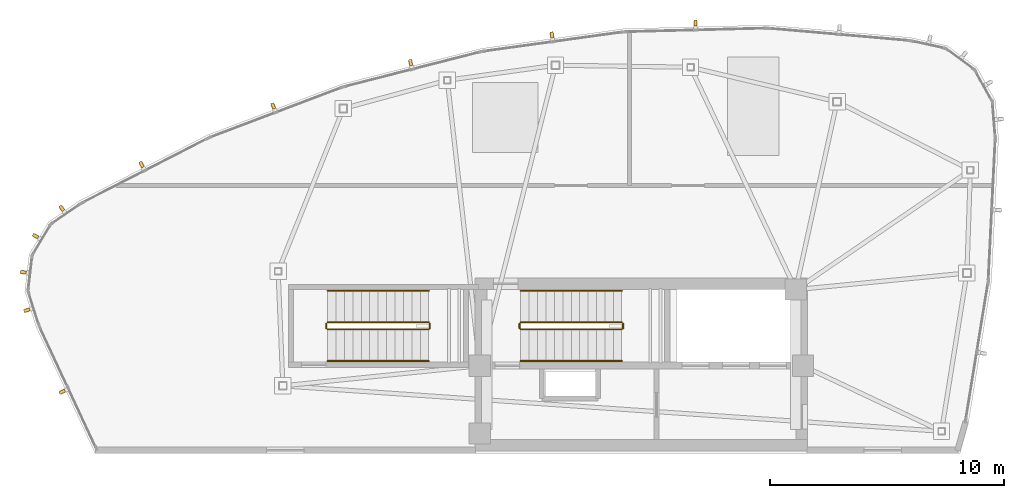
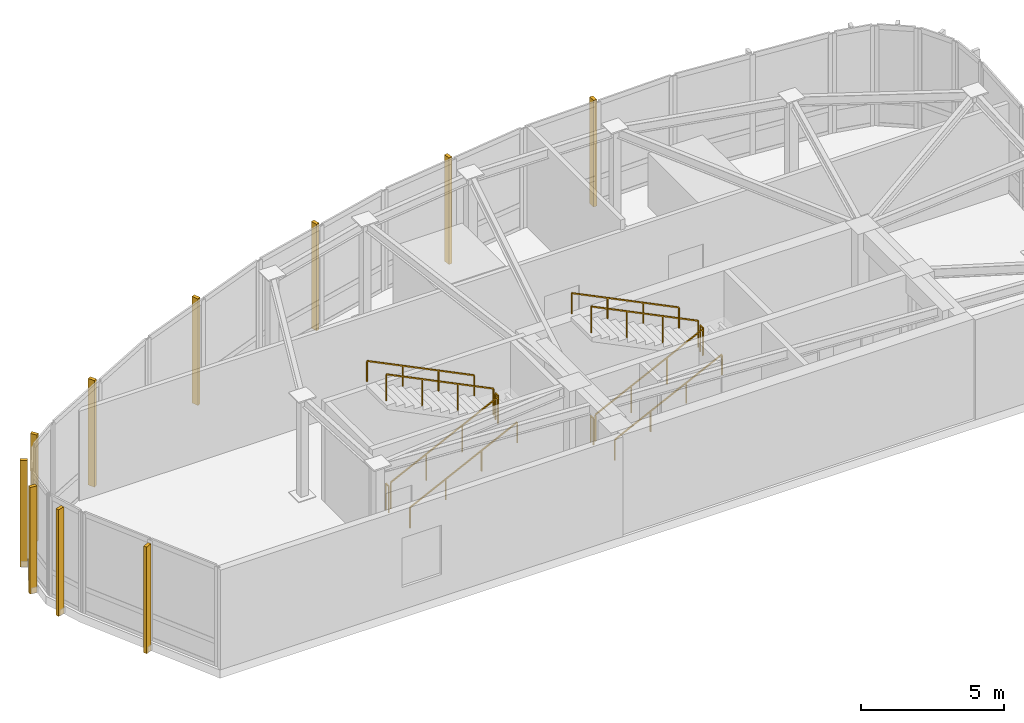
# One storey, part 8 of 10: 12 railings, 10 shading devices.
"""IFC4 building model written with IfcOpenShell, lengths in metres."""

from ifc_helpers import new_model, si_unit, direction, frame, origin, origin_2d, place, context, subcontext, project, spatial, rectangle, extrude, source, transform, mapped, material, type_object, type_shapes, element, save


model = new_model("IFC4")

# Units and contexts
model_context = context("Model", 3, precision=1e-05, world=origin(), true_north=direction((0.0, 1.0)))
body_context = subcontext(model_context, "Body", "Model", "MODEL_VIEW")
ifc_project = project(units=[si_unit("LENGTHUNIT", "METRE"), si_unit("AREAUNIT", "SQUARE_METRE"), si_unit("VOLUMEUNIT", "CUBIC_METRE"), si_unit("PLANEANGLEUNIT", "RADIAN"), si_unit("MASSUNIT", "GRAM", prefix="KILO")], contexts=[model_context])

# Site, building, storey
site_placement = place(None, origin())
site = spatial("IfcSite", under=ifc_project, at=site_placement, CompositionType="ELEMENT")
building_placement = place(site_placement, origin())
building = spatial("IfcBuilding", under=site, at=building_placement, Name="Tavelor Broadcast Tower", CompositionType="ELEMENT")
storey_placement = place(building_placement, frame((0.0, 0.0, 350.5)))
storey = spatial("IfcBuildingStorey", under=building, at=storey_placement, Name="L83", CompositionType="ELEMENT", Elevation=350.5)

# Railings
ifc_material_1 = material(Name="Steel S355", Category="steel")
railing_type_1 = type_object("IfcRailingType", Name="Continuous Brushed Stainless Handrail 900 mm", PredefinedType="HANDRAIL", material=ifc_material_1)
railing_1_placement = place(storey_placement, frame((44.85009765625, 48.14990234375, 0.177001953125)))
element("IfcRailing", 1, at=railing_1_placement, inside=storey, type_object=railing_type_1, Name="L83 ST1 stair handrail 1", PredefinedType="HANDRAIL", context=body_context, shape_type="SweptSolid", body=[
    extrude(rectangle(XDim=0.048095703125, YDim=0.048095703125, at=origin_2d()), frame((0.0, 0.0, 0.8759765625), z_axis=(0.897469794739, 0.0, 0.441075920371), x_axis=(0.0, 1.0, 0.0)), (0.0, 0.0, 1.0), 4.813232421875),
    extrude(rectangle(XDim=0.0419921875, YDim=0.0419921875, at=origin_2d()), origin(), (0.0, 0.0, 1.0), 0.851806640625),
    extrude(rectangle(XDim=0.0419921875, YDim=0.0419921875, at=origin_2d()), frame((1.43994140625, 0.0, 0.707763671875)), (0.0, 0.0, 1.0), 0.851806640625),
    extrude(rectangle(XDim=0.0419921875, YDim=0.0419921875, at=origin_2d()), frame((2.8798828125, 0.0, 1.415283203125)), (0.0, 0.0, 1.0), 0.851806640625),
    extrude(rectangle(XDim=0.0419921875, YDim=0.0419921875, at=origin_2d()), frame((4.31982421875, 0.0, 2.123046875)), (0.0, 0.0, 1.0), 0.851806640625),
])
railing_2_placement = place(storey_placement, frame((49.169921875, 51.14990234375, 2.476806640625)))
element("IfcRailing", 2, at=railing_2_placement, inside=storey, type_object=railing_type_1, Name="L83 ST1 stair handrail 2", PredefinedType="HANDRAIL", context=body_context, shape_type="SweptSolid", body=[
    extrude(rectangle(XDim=0.048095703125, YDim=0.048095703125, at=origin_2d()), frame((0.0, 0.0, 0.8759765625), z_axis=(-0.897449715955, 0.0, 0.441116772898), x_axis=(0.0, -1.0, 0.0)), (0.0, 0.0, 1.0), 4.8134765625),
    extrude(rectangle(XDim=0.0419921875, YDim=0.0419921875, at=origin_2d()), origin(), (0.0, 0.0, 1.0), 0.851806640625),
    extrude(rectangle(XDim=0.0419921875, YDim=0.0419921875, at=origin_2d()), frame((-1.43994140625, 0.0, 0.707763671875)), (0.0, 0.0, 1.0), 0.851806640625),
    extrude(rectangle(XDim=0.0419921875, YDim=0.0419921875, at=origin_2d()), frame((-2.8798828125, 0.0, 1.41552734375)), (0.0, 0.0, 1.0), 0.851806640625),
    extrude(rectangle(XDim=0.0419921875, YDim=0.0419921875, at=origin_2d()), frame((-4.31982421875, 0.0, 2.123291015625)), (0.0, 0.0, 1.0), 0.851806640625),
])
railing_3_placement = place(storey_placement, frame((36.60009765625, 48.14990234375, 0.177001953125)))
element("IfcRailing", 3, at=railing_3_placement, inside=storey, type_object=railing_type_1, Name="L83 ST5 stair handrail 1", PredefinedType="HANDRAIL", context=body_context, shape_type="SweptSolid", body=[
    extrude(rectangle(XDim=0.048095703125, YDim=0.048095703125, at=origin_2d()), frame((0.0, 0.0, 0.8759765625), z_axis=(0.897469794739, 0.0, 0.441075920371), x_axis=(0.0, 1.0, 0.0)), (0.0, 0.0, 1.0), 4.813232421875),
    extrude(rectangle(XDim=0.0419921875, YDim=0.0419921875, at=origin_2d()), origin(), (0.0, 0.0, 1.0), 0.851806640625),
    extrude(rectangle(XDim=0.0419921875, YDim=0.0419921875, at=origin_2d()), frame((1.43994140625, 0.0, 0.707763671875)), (0.0, 0.0, 1.0), 0.851806640625),
    extrude(rectangle(XDim=0.0419921875, YDim=0.0419921875, at=origin_2d()), frame((2.8798828125, 0.0, 1.415283203125)), (0.0, 0.0, 1.0), 0.851806640625),
    extrude(rectangle(XDim=0.0419921875, YDim=0.0419921875, at=origin_2d()), frame((4.31982421875, 0.0, 2.123046875)), (0.0, 0.0, 1.0), 0.851806640625),
])
railing_4_placement = place(storey_placement, frame((40.919921875, 51.14990234375, 2.476806640625)))
element("IfcRailing", 4, at=railing_4_placement, inside=storey, type_object=railing_type_1, Name="L83 ST5 stair handrail 2", PredefinedType="HANDRAIL", context=body_context, shape_type="SweptSolid", body=[
    extrude(rectangle(XDim=0.048095703125, YDim=0.048095703125, at=origin_2d()), frame((0.0, 0.0, 0.8759765625), z_axis=(-0.897449715955, 0.0, 0.441116772898), x_axis=(0.0, -1.0, 0.0)), (0.0, 0.0, 1.0), 4.8134765625),
    extrude(rectangle(XDim=0.0419921875, YDim=0.0419921875, at=origin_2d()), origin(), (0.0, 0.0, 1.0), 0.851806640625),
    extrude(rectangle(XDim=0.0419921875, YDim=0.0419921875, at=origin_2d()), frame((-1.43994140625, 0.0, 0.707763671875)), (0.0, 0.0, 1.0), 0.851806640625),
    extrude(rectangle(XDim=0.0419921875, YDim=0.0419921875, at=origin_2d()), frame((-2.8798828125, 0.0, 1.41552734375)), (0.0, 0.0, 1.0), 0.851806640625),
    extrude(rectangle(XDim=0.0419921875, YDim=0.0419921875, at=origin_2d()), frame((-4.31982421875, 0.0, 2.123291015625)), (0.0, 0.0, 1.0), 0.851806640625),
])
railing_type_2 = type_object("IfcRailingType", Name="Stairwell Steel Safety Guardrail 1150 mm", PredefinedType="GUARDRAIL", material=ifc_material_1)
railing_5_placement = place(storey_placement, frame((44.85009765625, 49.5, 0.177001953125)))
element("IfcRailing", 5, at=railing_5_placement, inside=storey, type_object=railing_type_2, Name="L83 ST1 stair guard 1", PredefinedType="GUARDRAIL", context=body_context, shape_type="SweptSolid", body=[
    extrude(rectangle(XDim=0.048095703125, YDim=0.048095703125, at=origin_2d()), frame((0.0, 0.0, 1.1259765625), z_axis=(0.897469794739, 0.0, 0.441075920371), x_axis=(0.0, 1.0, 0.0)), (0.0, 0.0, 1.0), 4.813232421875),
    extrude(rectangle(XDim=0.0419921875, YDim=0.0419921875, at=origin_2d()), origin(), (0.0, 0.0, 1.0), 1.101806640625),
    extrude(rectangle(XDim=0.0419921875, YDim=0.0419921875, at=origin_2d()), frame((1.43994140625, 0.0, 0.707763671875)), (0.0, 0.0, 1.0), 1.101806640625),
    extrude(rectangle(XDim=0.0419921875, YDim=0.0419921875, at=origin_2d()), frame((2.8798828125, 0.0, 1.415283203125)), (0.0, 0.0, 1.0), 1.101806640625),
    extrude(rectangle(XDim=0.0419921875, YDim=0.0419921875, at=origin_2d()), frame((4.31982421875, 0.0, 2.123046875)), (0.0, 0.0, 1.0), 1.101806640625),
])
railing_6_placement = place(storey_placement, frame((49.219970703125, 49.550048828125, 2.300048828125)))
element("IfcRailing", 6, at=railing_6_placement, inside=storey, type_object=railing_type_2, Name="L83 ST1 stair guard 2", PredefinedType="GUARDRAIL", context=body_context, shape_type="SweptSolid", body=[
    extrude(rectangle(XDim=0.048095703125, YDim=0.048095703125, at=origin_2d()), frame((0.0, 0.0, 1.1259765625), z_axis=(0.0, 1.0, 0.0), x_axis=(-1.0, 0.0, 0.0)), (0.0, 0.0, 1.0), 0.199951171875),
    extrude(rectangle(XDim=0.0419921875, YDim=0.0419921875, at=origin_2d()), origin(), (0.0, 0.0, 1.0), 1.101806640625),
    extrude(rectangle(XDim=0.0419921875, YDim=0.0419921875, at=origin_2d()), frame((0.0, 0.199951171875, 0.0)), (0.0, 0.0, 1.0), 1.101806640625),
])
railing_7_placement = place(storey_placement, frame((49.169921875, 49.800048828125, 2.476806640625)))
element("IfcRailing", 7, at=railing_7_placement, inside=storey, type_object=railing_type_2, Name="L83 ST1 stair guard 3", PredefinedType="GUARDRAIL", context=body_context, shape_type="SweptSolid", body=[
    extrude(rectangle(XDim=0.048095703125, YDim=0.048095703125, at=origin_2d()), frame((0.0, 0.0, 1.1259765625), z_axis=(-0.897449715955, 0.0, 0.441116772898), x_axis=(0.0, -1.0, 0.0)), (0.0, 0.0, 1.0), 4.8134765625),
    extrude(rectangle(XDim=0.0419921875, YDim=0.0419921875, at=origin_2d()), origin(), (0.0, 0.0, 1.0), 1.101806640625),
    extrude(rectangle(XDim=0.0419921875, YDim=0.0419921875, at=origin_2d()), frame((-1.43994140625, 0.0, 0.707763671875)), (0.0, 0.0, 1.0), 1.101806640625),
    extrude(rectangle(XDim=0.0419921875, YDim=0.0419921875, at=origin_2d()), frame((-2.8798828125, 0.0, 1.41552734375)), (0.0, 0.0, 1.0), 1.101806640625),
    extrude(rectangle(XDim=0.0419921875, YDim=0.0419921875, at=origin_2d()), frame((-4.31982421875, 0.0, 2.123291015625)), (0.0, 0.0, 1.0), 1.101806640625),
])
railing_8_placement = place(storey_placement, frame((44.800048828125, 49.550048828125, 0.0)))
element("IfcRailing", 8, at=railing_8_placement, inside=storey, type_object=railing_type_2, Name="L83 ST1 stair guard 4", PredefinedType="GUARDRAIL", context=body_context, shape_type="SweptSolid", body=[
    extrude(rectangle(XDim=0.048095703125, YDim=0.048095703125, at=origin_2d()), frame((0.0, 0.0, 1.1259765625), z_axis=(0.0, 1.0, 0.0), x_axis=(-1.0, 0.0, 0.0)), (0.0, 0.0, 1.0), 0.199951171875),
    extrude(rectangle(XDim=0.0419921875, YDim=0.0419921875, at=origin_2d()), origin(), (0.0, 0.0, 1.0), 1.101806640625),
    extrude(rectangle(XDim=0.0419921875, YDim=0.0419921875, at=origin_2d()), frame((0.0, 0.199951171875, 0.0)), (0.0, 0.0, 1.0), 1.101806640625),
])
railing_9_placement = place(storey_placement, frame((36.60009765625, 49.5, 0.177001953125)))
element("IfcRailing", 9, at=railing_9_placement, inside=storey, type_object=railing_type_2, Name="L83 ST5 stair guard 1", PredefinedType="GUARDRAIL", context=body_context, shape_type="SweptSolid", body=[
    extrude(rectangle(XDim=0.048095703125, YDim=0.048095703125, at=origin_2d()), frame((0.0, 0.0, 1.1259765625), z_axis=(0.897469794739, 0.0, 0.441075920371), x_axis=(0.0, 1.0, 0.0)), (0.0, 0.0, 1.0), 4.813232421875),
    extrude(rectangle(XDim=0.0419921875, YDim=0.0419921875, at=origin_2d()), origin(), (0.0, 0.0, 1.0), 1.101806640625),
    extrude(rectangle(XDim=0.0419921875, YDim=0.0419921875, at=origin_2d()), frame((1.43994140625, 0.0, 0.707763671875)), (0.0, 0.0, 1.0), 1.101806640625),
    extrude(rectangle(XDim=0.0419921875, YDim=0.0419921875, at=origin_2d()), frame((2.8798828125, 0.0, 1.415283203125)), (0.0, 0.0, 1.0), 1.101806640625),
    extrude(rectangle(XDim=0.0419921875, YDim=0.0419921875, at=origin_2d()), frame((4.31982421875, 0.0, 2.123046875)), (0.0, 0.0, 1.0), 1.101806640625),
])
railing_10_placement = place(storey_placement, frame((40.969970703125, 49.550048828125, 2.300048828125)))
element("IfcRailing", 10, at=railing_10_placement, inside=storey, type_object=railing_type_2, Name="L83 ST5 stair guard 2", PredefinedType="GUARDRAIL", context=body_context, shape_type="SweptSolid", body=[
    extrude(rectangle(XDim=0.048095703125, YDim=0.048095703125, at=origin_2d()), frame((0.0, 0.0, 1.1259765625), z_axis=(0.0, 1.0, 0.0), x_axis=(-1.0, 0.0, 0.0)), (0.0, 0.0, 1.0), 0.199951171875),
    extrude(rectangle(XDim=0.0419921875, YDim=0.0419921875, at=origin_2d()), origin(), (0.0, 0.0, 1.0), 1.101806640625),
    extrude(rectangle(XDim=0.0419921875, YDim=0.0419921875, at=origin_2d()), frame((0.0, 0.199951171875, 0.0)), (0.0, 0.0, 1.0), 1.101806640625),
])
railing_11_placement = place(storey_placement, frame((40.919921875, 49.800048828125, 2.476806640625)))
element("IfcRailing", 11, at=railing_11_placement, inside=storey, type_object=railing_type_2, Name="L83 ST5 stair guard 3", PredefinedType="GUARDRAIL", context=body_context, shape_type="SweptSolid", body=[
    extrude(rectangle(XDim=0.048095703125, YDim=0.048095703125, at=origin_2d()), frame((0.0, 0.0, 1.1259765625), z_axis=(-0.897449715955, 0.0, 0.441116772898), x_axis=(0.0, -1.0, 0.0)), (0.0, 0.0, 1.0), 4.8134765625),
    extrude(rectangle(XDim=0.0419921875, YDim=0.0419921875, at=origin_2d()), origin(), (0.0, 0.0, 1.0), 1.101806640625),
    extrude(rectangle(XDim=0.0419921875, YDim=0.0419921875, at=origin_2d()), frame((-1.43994140625, 0.0, 0.707763671875)), (0.0, 0.0, 1.0), 1.101806640625),
    extrude(rectangle(XDim=0.0419921875, YDim=0.0419921875, at=origin_2d()), frame((-2.8798828125, 0.0, 1.41552734375)), (0.0, 0.0, 1.0), 1.101806640625),
    extrude(rectangle(XDim=0.0419921875, YDim=0.0419921875, at=origin_2d()), frame((-4.31982421875, 0.0, 2.123291015625)), (0.0, 0.0, 1.0), 1.101806640625),
])
railing_12_placement = place(storey_placement, frame((36.550048828125, 49.550048828125, 0.0)))
element("IfcRailing", 12, at=railing_12_placement, inside=storey, type_object=railing_type_2, Name="L83 ST5 stair guard 4", PredefinedType="GUARDRAIL", context=body_context, shape_type="SweptSolid", body=[
    extrude(rectangle(XDim=0.048095703125, YDim=0.048095703125, at=origin_2d()), frame((0.0, 0.0, 1.1259765625), z_axis=(0.0, 1.0, 0.0), x_axis=(-1.0, 0.0, 0.0)), (0.0, 0.0, 1.0), 0.199951171875),
    extrude(rectangle(XDim=0.0419921875, YDim=0.0419921875, at=origin_2d()), origin(), (0.0, 0.0, 1.0), 1.101806640625),
    extrude(rectangle(XDim=0.0419921875, YDim=0.0419921875, at=origin_2d()), frame((0.0, 0.199951171875, 0.0)), (0.0, 0.0, 1.0), 1.101806640625),
])

# Shading devices
ifc_material_2 = material(Name="Kiln-Fired Glazed Terracotta", Category="masonry")
shading_device_type = type_object("IfcShadingDeviceType", Name="Extruded Terracotta Corner Baguette 130x260", PredefinedType="JALOUSIE", material=ifc_material_2)
shared_shape = source(origin(), body_context, "Body", "SweptSolid", [
    extrude(rectangle(XDim=0.1298828125, YDim=0.260009765625, at=origin_2d()), origin(), (0.0, 0.0, 1.0), 4.5400390625),
])
type_shapes(shading_device_type, [shared_shape])
for number, where, z_axis, x_axis, name in (
    (13, (52.3173828125, 62.587158203125, -0.31005859375), (0.0, 0.0, 1.0), (-0.999679788028, -0.025304572866, 0.0), "L83 Terracotta Baguette Fin 847"),
    (14, (46.18359375, 62.086181640625, -0.31005859375), (0.0, 0.0, 1.0), (-0.990557380089, -0.137098784642, 0.0), "L83 Terracotta Baguette Fin 848"),
    (15, (40.14453125, 60.9013671875, -0.31005859375), (0.0, 0.0, 1.0), (-0.968929453452, -0.247337247968, 0.0), "L83 Terracotta Baguette Fin 849"),
    (16, (34.276123046875, 59.047607421875, -0.31005859375), (0.0, 0.0, 1.0), (-0.935135209686, -0.354291037998, 0.0), "L83 Terracotta Baguette Fin 850"),
    (17, (28.65234375, 56.5478515625, -0.31005859375), (0.0, 0.0, 1.0), (-0.889575876378, -0.456787434334, 0.0), "L83 Terracotta Baguette Fin 851"),
    (18, (25.242431640625, 54.678466796875, -0.31005859375), (0.0, 0.0, 1.0), (-0.822640518021, -0.568561850734, 0.0), "L83 Terracotta Baguette Fin 852"),
    (19, (24.125244140625, 53.48876953125, -0.31005859375), (0.0, 0.0, 1.0), (-0.515785898285, -0.856717518865, 0.0), "L83 Terracotta Baguette Fin 853"),
    (20, (23.5966796875, 51.94482421875, -0.31005859375), (0.0, 0.0, 1.0), (-0.117537397458, -0.993068456955, 0.0), "L83 Terracotta Baguette Fin 854"),
    (21, (23.750244140625, 50.320068359375, -0.31005859375), (0.0, 0.0, 1.0), (0.301537959944, -0.953454172319, 0.0), "L83 Terracotta Baguette Fin 855"),
    (22, (25.260498046875, 46.8349609375, -0.31005859375), (0.0, 0.0, 1.0), (0.422934597085, -0.906160210221, 0.0), "L83 Terracotta Baguette Fin 856"),
):
    element("IfcShadingDevice", number, at=place(storey_placement, frame(where, z_axis=z_axis, x_axis=x_axis)), inside=storey, type_object=shading_device_type, Name=name, PredefinedType="JALOUSIE", context=body_context, shape_type="MappedRepresentation", body=[
        mapped(shared_shape, transform((0.0, 0.0, 0.0), scale=1.0)),
    ])

save(model, "model.ifc")
